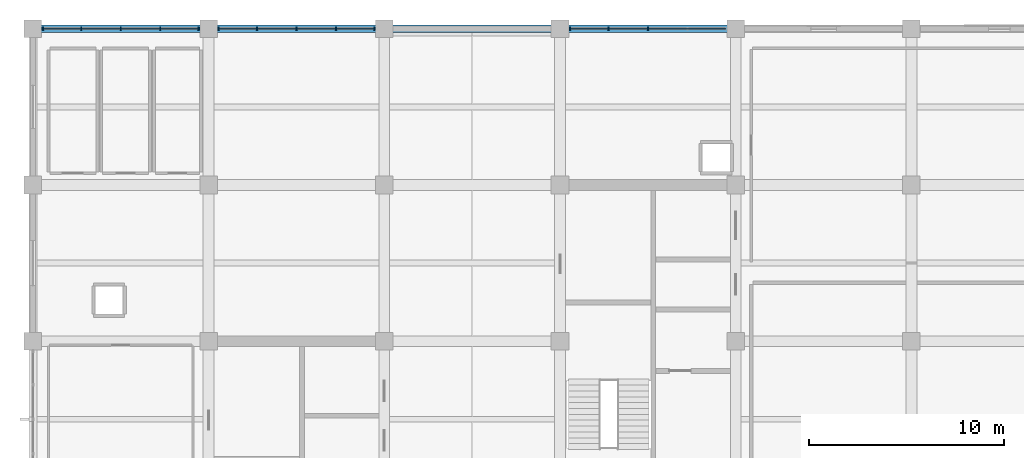
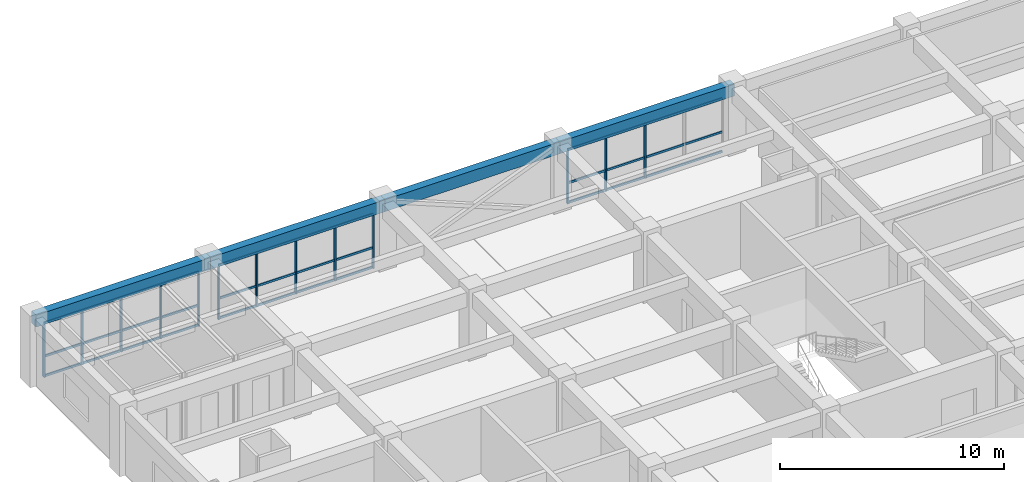
# One storey, part 9 of 16: 22 members, 4 beams, 3 elements without a shape of their own.
"""IFC4 building model written with IfcOpenShell, lengths in metres."""

from ifc_helpers import new_model, si_unit, direction, frame, origin, origin_2d, place, context, subcontext, project, spatial, rectangle, extrude, material, material_profile, profile_set, type_object, element, aggregate, save


model = new_model("IFC4")

# Units and contexts
model_context = context("Model", 3, precision=1e-05, world=origin(), true_north=direction((0.0, 1.0)))
body_context = subcontext(model_context, "Body", "Model", "MODEL_VIEW")
ifc_project = project(units=[si_unit("LENGTHUNIT", "METRE"), si_unit("AREAUNIT", "SQUARE_METRE"), si_unit("VOLUMEUNIT", "CUBIC_METRE"), si_unit("PLANEANGLEUNIT", "RADIAN"), si_unit("MASSUNIT", "GRAM", prefix="KILO")], contexts=[model_context])

# Site, building, storey
site_placement = place(None, origin())
site = spatial("IfcSite", under=ifc_project, at=site_placement, CompositionType="ELEMENT")
building_placement = place(site_placement, origin())
building = spatial("IfcBuilding", under=site, at=building_placement, Name="Zaverband Oceanarium and Marine Research Institute", CompositionType="ELEMENT")
storey_placement = place(building_placement, frame((0.0, 0.0, 29.699951171875)))
storey = spatial("IfcBuildingStorey", under=building, at=storey_placement, Name="L07", CompositionType="ELEMENT", Elevation=29.699951171875)

# Curtain wall, members
ifc_material_1 = material(Name="Thermally broken anodized aluminium and solar-control glass", Category="aluminium")
curtain_wall_type = type_object("IfcCurtainWallType", Name="CW-UNIT-1800", PredefinedType="NOTDEFINED", material=ifc_material_1)
curtain_wall_1_placement = place(storey_placement, origin())
curtain_wall_1 = element("IfcCurtainWall", 1, at=curtain_wall_1_placement, inside=storey, type_object=curtain_wall_type, Name="Unitised glazed curtain wall CW-088", PredefinedType="NOTDEFINED")
ifc_material_2 = material(Name="Thermally broken anodized aluminium", Category="aluminium")
ifc_material_profile_1 = material_profile(ifc_material_2, rectangle(XDim=0.070068359375, YDim=0.14990234375, at=origin_2d()), Name="AL-MUL-70x150")
ifc_profile_set_1 = profile_set([ifc_material_profile_1], Name="Thermally broken anodized aluminium")
member_type_1 = type_object("IfcMemberType", Name="MUL-70x150", PredefinedType="MULLION", material=ifc_profile_set_1)
member_1_placement = place(storey_placement, frame((9.514892578125, 112.0, 0.0), z_axis=(0.0, 0.0, 1.0), x_axis=(1.0, 0.0, 0.0)))
member_1 = element("IfcMember", 2, at=member_1_placement, type_object=member_type_1, Name="Curtain wall vertical mullion MUL-70x150", PredefinedType="MULLION", context=body_context, shape_type="SweptSolid", body=[
    extrude(rectangle(XDim=0.070068359375, YDim=0.14990234375, at=origin_2d()), origin(), (0.0, 0.0, 1.0), 2.97998046875),
])
member_2_placement = place(storey_placement, frame((11.4775390625, 112.0, 0.0), z_axis=(0.0, 0.0, 1.0), x_axis=(1.0, 0.0, 0.0)))
member_2 = element("IfcMember", 3, at=member_2_placement, type_object=member_type_1, Name="Curtain wall vertical mullion MUL-70x150", PredefinedType="MULLION", context=body_context, shape_type="SweptSolid", body=[
    extrude(rectangle(XDim=0.070068359375, YDim=0.14990234375, at=origin_2d()), origin(), (0.0, 0.0, 1.0), 2.97998046875),
])
member_3_placement = place(storey_placement, frame((13.5, 112.0, 0.0), z_axis=(0.0, 0.0, 1.0), x_axis=(1.0, 0.0, 0.0)))
member_3 = element("IfcMember", 4, at=member_3_placement, type_object=member_type_1, Name="Curtain wall vertical mullion MUL-70x150", PredefinedType="MULLION", context=body_context, shape_type="SweptSolid", body=[
    extrude(rectangle(XDim=0.070068359375, YDim=0.14990234375, at=origin_2d()), origin(), (0.0, 0.0, 1.0), 2.97998046875),
])
member_4_placement = place(storey_placement, frame((15.5224609375, 112.0, 0.0), z_axis=(0.0, 0.0, 1.0), x_axis=(1.0, 0.0, 0.0)))
member_4 = element("IfcMember", 5, at=member_4_placement, type_object=member_type_1, Name="Curtain wall vertical mullion MUL-70x150", PredefinedType="MULLION", context=body_context, shape_type="SweptSolid", body=[
    extrude(rectangle(XDim=0.070068359375, YDim=0.14990234375, at=origin_2d()), origin(), (0.0, 0.0, 1.0), 2.97998046875),
])
member_5_placement = place(storey_placement, frame((17.485107421875, 112.0, 0.0), z_axis=(0.0, 0.0, 1.0), x_axis=(1.0, 0.0, 0.0)))
member_5 = element("IfcMember", 6, at=member_5_placement, type_object=member_type_1, Name="Curtain wall vertical mullion MUL-70x150", PredefinedType="MULLION", context=body_context, shape_type="SweptSolid", body=[
    extrude(rectangle(XDim=0.070068359375, YDim=0.14990234375, at=origin_2d()), origin(), (0.0, 0.0, 1.0), 2.97998046875),
])

curtain_wall_2_placement = place(storey_placement, origin())
curtain_wall_2 = element("IfcCurtainWall", 7, at=curtain_wall_2_placement, inside=storey, type_object=curtain_wall_type, Name="Unitised glazed curtain wall CW-089", PredefinedType="NOTDEFINED")
member_6_placement = place(storey_placement, frame((18.514892578125, 112.0, 0.0), z_axis=(0.0, 0.0, 1.0), x_axis=(1.0, 0.0, 0.0)))
member_6 = element("IfcMember", 8, at=member_6_placement, type_object=member_type_1, Name="Curtain wall vertical mullion MUL-70x150", PredefinedType="MULLION", context=body_context, shape_type="SweptSolid", body=[
    extrude(rectangle(XDim=0.070068359375, YDim=0.14990234375, at=origin_2d()), origin(), (0.0, 0.0, 1.0), 2.97998046875),
])
member_7_placement = place(storey_placement, frame((20.4775390625, 112.0, 0.0), z_axis=(0.0, 0.0, 1.0), x_axis=(1.0, 0.0, 0.0)))
member_7 = element("IfcMember", 9, at=member_7_placement, type_object=member_type_1, Name="Curtain wall vertical mullion MUL-70x150", PredefinedType="MULLION", context=body_context, shape_type="SweptSolid", body=[
    extrude(rectangle(XDim=0.070068359375, YDim=0.14990234375, at=origin_2d()), origin(), (0.0, 0.0, 1.0), 2.97998046875),
])
member_8_placement = place(storey_placement, frame((22.5, 112.0, 0.0), z_axis=(0.0, 0.0, 1.0), x_axis=(1.0, 0.0, 0.0)))
member_8 = element("IfcMember", 10, at=member_8_placement, type_object=member_type_1, Name="Curtain wall vertical mullion MUL-70x150", PredefinedType="MULLION", context=body_context, shape_type="SweptSolid", body=[
    extrude(rectangle(XDim=0.070068359375, YDim=0.14990234375, at=origin_2d()), origin(), (0.0, 0.0, 1.0), 2.97998046875),
])
member_9_placement = place(storey_placement, frame((24.5224609375, 112.0, 0.0), z_axis=(0.0, 0.0, 1.0), x_axis=(1.0, 0.0, 0.0)))
member_9 = element("IfcMember", 11, at=member_9_placement, type_object=member_type_1, Name="Curtain wall vertical mullion MUL-70x150", PredefinedType="MULLION", context=body_context, shape_type="SweptSolid", body=[
    extrude(rectangle(XDim=0.070068359375, YDim=0.14990234375, at=origin_2d()), origin(), (0.0, 0.0, 1.0), 2.97998046875),
])
member_10_placement = place(storey_placement, frame((26.485107421875, 112.0, 0.0), z_axis=(0.0, 0.0, 1.0), x_axis=(1.0, 0.0, 0.0)))
member_10 = element("IfcMember", 12, at=member_10_placement, type_object=member_type_1, Name="Curtain wall vertical mullion MUL-70x150", PredefinedType="MULLION", context=body_context, shape_type="SweptSolid", body=[
    extrude(rectangle(XDim=0.070068359375, YDim=0.14990234375, at=origin_2d()), origin(), (0.0, 0.0, 1.0), 2.97998046875),
])

curtain_wall_3_placement = place(storey_placement, origin())
curtain_wall_3 = element("IfcCurtainWall", 13, at=curtain_wall_3_placement, inside=storey, type_object=curtain_wall_type, Name="Unitised glazed curtain wall CW-090", PredefinedType="NOTDEFINED")
member_11_placement = place(storey_placement, frame((36.514892578125, 112.0, 0.0), z_axis=(0.0, 0.0, 1.0), x_axis=(1.0, 0.0, 0.0)))
member_11 = element("IfcMember", 14, at=member_11_placement, type_object=member_type_1, Name="Curtain wall vertical mullion MUL-70x150", PredefinedType="MULLION", context=body_context, shape_type="SweptSolid", body=[
    extrude(rectangle(XDim=0.070068359375, YDim=0.14990234375, at=origin_2d()), origin(), (0.0, 0.0, 1.0), 2.97998046875),
])
member_12_placement = place(storey_placement, frame((38.4775390625, 112.0, 0.0), z_axis=(0.0, 0.0, 1.0), x_axis=(1.0, 0.0, 0.0)))
member_12 = element("IfcMember", 15, at=member_12_placement, type_object=member_type_1, Name="Curtain wall vertical mullion MUL-70x150", PredefinedType="MULLION", context=body_context, shape_type="SweptSolid", body=[
    extrude(rectangle(XDim=0.070068359375, YDim=0.14990234375, at=origin_2d()), origin(), (0.0, 0.0, 1.0), 2.97998046875),
])
member_13_placement = place(storey_placement, frame((40.5, 112.0, 0.0), z_axis=(0.0, 0.0, 1.0), x_axis=(1.0, 0.0, 0.0)))
member_13 = element("IfcMember", 16, at=member_13_placement, type_object=member_type_1, Name="Curtain wall vertical mullion MUL-70x150", PredefinedType="MULLION", context=body_context, shape_type="SweptSolid", body=[
    extrude(rectangle(XDim=0.070068359375, YDim=0.14990234375, at=origin_2d()), origin(), (0.0, 0.0, 1.0), 2.97998046875),
])

# Beams
ifc_material_3 = material(Name="Concrete C40/50", Category="concrete")
ifc_material_profile_2 = material_profile(ifc_material_3, rectangle(XDim=0.39990234375, YDim=0.64990234375, at=origin_2d()), Name="RC400x650")
ifc_profile_set_2 = profile_set([ifc_material_profile_2], Name="Concrete C40/50")
beam_type = type_object("IfcBeamType", Name="SPN-400x650", PredefinedType="SPANDREL", material=ifc_profile_set_2)
for number, where, z_axis, x_axis, name in (
    (17, (9.0, 112.0, 3.324951171875), (1.0, 0.0, 0.0), (0.0, 1.0, 0.0), "Perimeter spandrel beam SPN-400x650"),
    (18, (18.0, 112.0, 3.324951171875), (1.0, 0.0, 0.0), (0.0, 1.0, 0.0), "Perimeter spandrel beam SPN-400x650"),
    (19, (27.0, 112.0, 3.324951171875), (1.0, 0.0, 0.0), (0.0, 1.0, 0.0), "Perimeter spandrel beam SPN-400x650"),
    (20, (36.0, 112.0, 3.324951171875), (1.0, 0.0, 0.0), (0.0, 1.0, 0.0), "Perimeter spandrel beam SPN-400x650"),
):
    element("IfcBeam", number, at=place(storey_placement, frame(where, z_axis=z_axis, x_axis=x_axis)), inside=storey, type_object=beam_type, Name=name, PredefinedType="SPANDREL", context=body_context, shape_type="SweptSolid", body=[
        extrude(rectangle(XDim=0.39990234375, YDim=0.64990234375, at=origin_2d()), origin(), (0.0, 0.0, 1.0), 9.0),
    ])

# Member
ifc_material_profile_3 = material_profile(ifc_material_2, rectangle(XDim=0.070068359375, YDim=0.114990234375, at=origin_2d()), Name="AL-TRN-70x115")
ifc_profile_set_3 = profile_set([ifc_material_profile_3], Name="Thermally broken anodized aluminium")
member_type_2 = type_object("IfcMemberType", Name="TRN-70x115", PredefinedType="USERDEFINED", material=ifc_profile_set_3)
member_14_placement = place(storey_placement, frame((9.514892578125, 112.0, 0.050048828125), z_axis=(1.0, 0.0, 0.0), x_axis=(0.0, 1.0, 0.0)))
member_14 = element("IfcMember", 21, at=member_14_placement, type_object=member_type_2, Name="Curtain wall horizontal transom TRN-70x115", ObjectType="TRANSOM", PredefinedType="USERDEFINED", context=body_context, shape_type="SweptSolid", body=[
    extrude(rectangle(XDim=0.070068359375, YDim=0.114990234375, at=origin_2d()), origin(), (0.0, 0.0, 1.0), 7.97021484375),
])

member_15_placement = place(storey_placement, frame((9.514892578125, 112.0, 1.123046875), z_axis=(1.0, 0.0, 0.0), x_axis=(0.0, 1.0, 0.0)))
member_15 = element("IfcMember", 22, at=member_15_placement, type_object=member_type_2, Name="Curtain wall horizontal transom TRN-70x115", ObjectType="TRANSOM", PredefinedType="USERDEFINED", context=body_context, shape_type="SweptSolid", body=[
    extrude(rectangle(XDim=0.070068359375, YDim=0.114990234375, at=origin_2d()), origin(), (0.0, 0.0, 1.0), 7.97021484375),
])

member_16_placement = place(storey_placement, frame((9.514892578125, 112.0, 2.929931640625), z_axis=(1.0, 0.0, 0.0), x_axis=(0.0, 1.0, 0.0)))
member_16 = element("IfcMember", 23, at=member_16_placement, type_object=member_type_2, Name="Curtain wall horizontal transom TRN-70x115", ObjectType="TRANSOM", PredefinedType="USERDEFINED", context=body_context, shape_type="SweptSolid", body=[
    extrude(rectangle(XDim=0.070068359375, YDim=0.114990234375, at=origin_2d()), origin(), (0.0, 0.0, 1.0), 7.97021484375),
])

aggregate(curtain_wall_1, [member_1, member_2, member_3, member_4, member_5, member_14, member_15, member_16])

member_17_placement = place(storey_placement, frame((18.514892578125, 112.0, 0.050048828125), z_axis=(1.0, 0.0, 0.0), x_axis=(0.0, 1.0, 0.0)))
member_17 = element("IfcMember", 24, at=member_17_placement, type_object=member_type_2, Name="Curtain wall horizontal transom TRN-70x115", ObjectType="TRANSOM", PredefinedType="USERDEFINED", context=body_context, shape_type="SweptSolid", body=[
    extrude(rectangle(XDim=0.070068359375, YDim=0.114990234375, at=origin_2d()), origin(), (0.0, 0.0, 1.0), 7.97021484375),
])

member_18_placement = place(storey_placement, frame((18.514892578125, 112.0, 1.123046875), z_axis=(1.0, 0.0, 0.0), x_axis=(0.0, 1.0, 0.0)))
member_18 = element("IfcMember", 25, at=member_18_placement, type_object=member_type_2, Name="Curtain wall horizontal transom TRN-70x115", ObjectType="TRANSOM", PredefinedType="USERDEFINED", context=body_context, shape_type="SweptSolid", body=[
    extrude(rectangle(XDim=0.070068359375, YDim=0.114990234375, at=origin_2d()), origin(), (0.0, 0.0, 1.0), 7.97021484375),
])

member_19_placement = place(storey_placement, frame((18.514892578125, 112.0, 2.929931640625), z_axis=(1.0, 0.0, 0.0), x_axis=(0.0, 1.0, 0.0)))
member_19 = element("IfcMember", 26, at=member_19_placement, type_object=member_type_2, Name="Curtain wall horizontal transom TRN-70x115", ObjectType="TRANSOM", PredefinedType="USERDEFINED", context=body_context, shape_type="SweptSolid", body=[
    extrude(rectangle(XDim=0.070068359375, YDim=0.114990234375, at=origin_2d()), origin(), (0.0, 0.0, 1.0), 7.97021484375),
])

aggregate(curtain_wall_2, [member_6, member_7, member_8, member_9, member_10, member_17, member_18, member_19])

member_20_placement = place(storey_placement, frame((36.514892578125, 112.0, 0.050048828125), z_axis=(1.0, 0.0, 0.0), x_axis=(0.0, 1.0, 0.0)))
member_20 = element("IfcMember", 27, at=member_20_placement, type_object=member_type_2, Name="Curtain wall horizontal transom TRN-70x115", ObjectType="TRANSOM", PredefinedType="USERDEFINED", context=body_context, shape_type="SweptSolid", body=[
    extrude(rectangle(XDim=0.070068359375, YDim=0.114990234375, at=origin_2d()), origin(), (0.0, 0.0, 1.0), 7.97021484375),
])

member_21_placement = place(storey_placement, frame((36.514892578125, 112.0, 1.123046875), z_axis=(1.0, 0.0, 0.0), x_axis=(0.0, 1.0, 0.0)))
member_21 = element("IfcMember", 28, at=member_21_placement, type_object=member_type_2, Name="Curtain wall horizontal transom TRN-70x115", ObjectType="TRANSOM", PredefinedType="USERDEFINED", context=body_context, shape_type="SweptSolid", body=[
    extrude(rectangle(XDim=0.070068359375, YDim=0.114990234375, at=origin_2d()), origin(), (0.0, 0.0, 1.0), 7.97021484375),
])

member_22_placement = place(storey_placement, frame((36.514892578125, 112.0, 2.929931640625), z_axis=(1.0, 0.0, 0.0), x_axis=(0.0, 1.0, 0.0)))
member_22 = element("IfcMember", 29, at=member_22_placement, type_object=member_type_2, Name="Curtain wall horizontal transom TRN-70x115", ObjectType="TRANSOM", PredefinedType="USERDEFINED", context=body_context, shape_type="SweptSolid", body=[
    extrude(rectangle(XDim=0.070068359375, YDim=0.114990234375, at=origin_2d()), origin(), (0.0, 0.0, 1.0), 7.97021484375),
])

aggregate(curtain_wall_3, [member_11, member_12, member_13, member_20, member_21, member_22])

save(model, "model.ifc")
